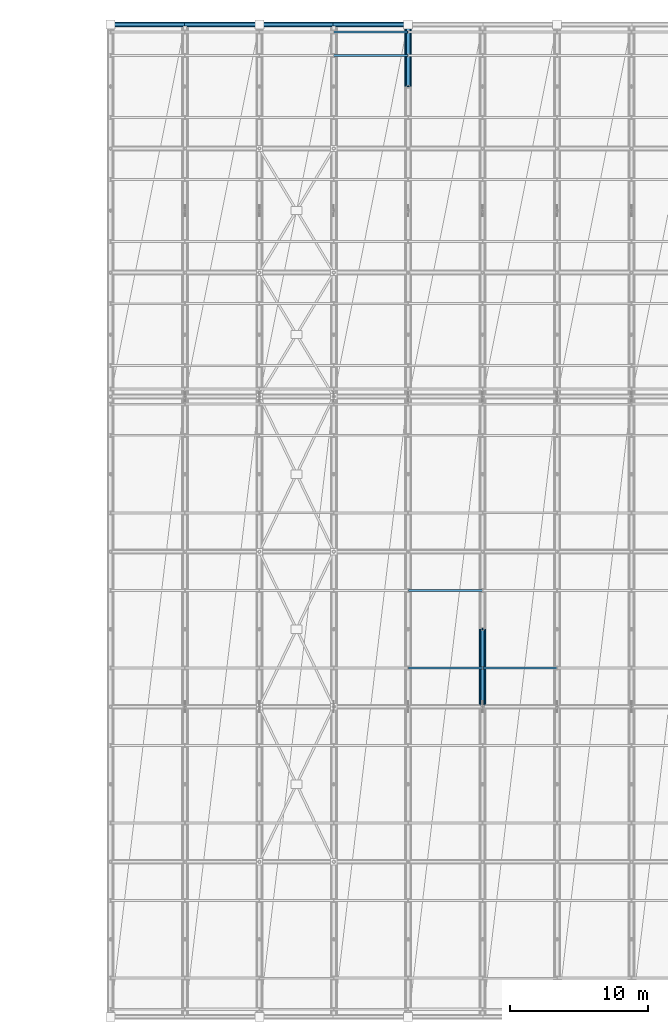
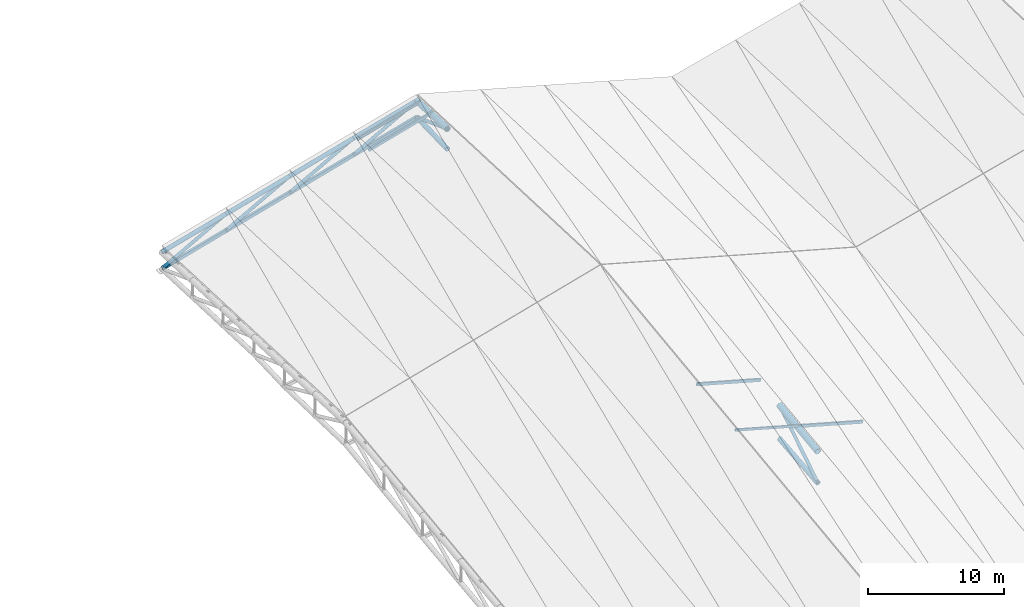
# One storey, part 16 of 109: 19 members, 4 beams.
"""IFC4 building model written with IfcOpenShell, lengths in metres."""

from ifc_helpers import new_model, si_unit, direction, frame, origin, origin_2d, place, context, subcontext, project, spatial, hollow_rectangle, hollow_circle, i_section, extrude, material, material_profile, profile_set, type_object, element, save


model = new_model("IFC4")

# Units and contexts
model_context = context("Model", 3, precision=1e-05, world=origin(), true_north=direction((0.0, 1.0)))
body_context = subcontext(model_context, "Body", "Model", "MODEL_VIEW")
ifc_project = project(units=[si_unit("LENGTHUNIT", "METRE"), si_unit("AREAUNIT", "SQUARE_METRE"), si_unit("VOLUMEUNIT", "CUBIC_METRE"), si_unit("PLANEANGLEUNIT", "RADIAN"), si_unit("MASSUNIT", "GRAM", prefix="KILO")], contexts=[model_context])

# Site, building, storey
site_placement = place(None, origin())
site = spatial("IfcSite", under=ifc_project, at=site_placement, CompositionType="ELEMENT")
building_placement = place(site_placement, origin())
building = spatial("IfcBuilding", under=site, at=building_placement, Name="Suirenkawa Promenade Aquatics Centre", CompositionType="ELEMENT")
storey_placement = place(building_placement, frame((0.0, 0.0, 22.800048828125)))
storey = spatial("IfcBuildingStorey", under=building, at=storey_placement, Name="ROOF", CompositionType="ELEMENT", Elevation=22.800048828125)

# Beams
ifc_material = material(Name="Steel IS 2062 E350 (Grade 350)", Category="steel")
ifc_material_profile_1 = material_profile(ifc_material, hollow_circle(Radius=0.202880859375, WallThickness=0.01806640625, at=origin_2d()), Name="CHS 406x18", Category="steel")
ifc_profile_set_1 = profile_set([ifc_material_profile_1], Name="Steel IS 2062 E350 (Grade 350)")
beam_type_1 = type_object("IfcBeamType", Name="BT-BC-CHS406", PredefinedType="BEAM", material=ifc_profile_set_1)
beam_1_placement = place(storey_placement, frame((68.39990234375, 117.89990234375, -5.9130859375), z_axis=(0.0, 0.999563148904, 0.029555225486), x_axis=(-1.0, 0.0, 0.0)))
element("IfcBeam", 1, at=beam_1_placement, inside=storey, type_object=beam_type_1, Name="ROOF TRUSS V1 bottom chord BC-01 BM-1946", PredefinedType="BEAM", context=body_context, shape_type="SweptSolid", body=[
    extrude(hollow_circle(Radius=0.202880859375, WallThickness=0.01806640625, at=origin_2d()), origin(), (0.0, 0.0, 1.0), 4.501953125),
])
beam_2_placement = place(storey_placement, frame((73.800048828125, 72.89990234375, -10.427001953125), z_axis=(0.0, 0.995307161767, 0.096765974061), x_axis=(-1.0, 0.0, 0.0)))
element("IfcBeam", 2, at=beam_2_placement, inside=storey, type_object=beam_type_1, Name="ROOF TRUSS V1 bottom chord BC-01 BM-1956", PredefinedType="BEAM", context=body_context, shape_type="SweptSolid", body=[
    extrude(hollow_circle(Radius=0.202880859375, WallThickness=0.01806640625, at=origin_2d()), origin(), (0.0, 0.0, 1.0), 5.651611328125),
])
ifc_material_profile_2 = material_profile(ifc_material, hollow_circle(Radius=0.25390625, WallThickness=0.02392578125, at=origin_2d()), Name="CHS 508x24", Category="steel")
ifc_profile_set_2 = profile_set([ifc_material_profile_2], Name="Steel IS 2062 E350 (Grade 350)")
beam_type_2 = type_object("IfcBeamType", Name="BT-TC-CHS508", PredefinedType="BEAM", material=ifc_profile_set_2)
beam_3_placement = place(storey_placement, frame((68.39990234375, 117.89990234375, -4.116943359375), z_axis=(0.0, 0.999173184279, -0.040656460949), x_axis=(-1.0, 0.0, 0.0)))
element("IfcBeam", 3, at=beam_3_placement, inside=storey, type_object=beam_type_2, Name="ROOF TRUSS V1 top chord TC-02 BM-1945", PredefinedType="BEAM", context=body_context, shape_type="SweptSolid", body=[
    extrude(hollow_circle(Radius=0.25390625, WallThickness=0.02392578125, at=origin_2d()), origin(), (0.0, 0.0, 1.0), 4.503662109375),
])
beam_4_placement = place(storey_placement, frame((73.800048828125, 72.89990234375, -7.60009765625), z_axis=(0.0, 0.991793720609, 0.127848409297), x_axis=(-1.0, 0.0, 0.0)))
element("IfcBeam", 4, at=beam_4_placement, inside=storey, type_object=beam_type_2, Name="ROOF TRUSS V1 top chord TC-02 BM-1955", PredefinedType="BEAM", context=body_context, shape_type="SweptSolid", body=[
    extrude(hollow_circle(Radius=0.25390625, WallThickness=0.02392578125, at=origin_2d()), origin(), (0.0, 0.0, 1.0), 5.671630859375),
])

# Members
ifc_material_profile_3 = material_profile(ifc_material, hollow_circle(Radius=0.177978515625, WallThickness=0.01611328125, at=origin_2d()), Name="CHS 356x16", Category="steel")
ifc_profile_set_3 = profile_set([ifc_material_profile_3], Name="Steel IS 2062 E350 (Grade 350)")
member_type_1 = type_object("IfcMemberType", Name="MT-CHORD-CHS356", PredefinedType="CHORD", material=ifc_profile_set_3)
member_1_placement = place(storey_placement, frame((46.800048828125, 122.39990234375, -10.300048828125), z_axis=(0.963516661409, 0.0, 0.267648357342), x_axis=(0.0, 1.0, 0.0)))
element("IfcMember", 5, at=member_1_placement, inside=storey, type_object=member_type_1, Name="ROOF TRUSS V1 eave top chord CH-02 MB-0628", PredefinedType="CHORD", context=body_context, shape_type="SweptSolid", body=[
    extrude(hollow_circle(Radius=0.177978515625, WallThickness=0.01611328125, at=origin_2d()), origin(), (0.0, 0.0, 1.0), 5.604248046875),
])
member_2_placement = place(storey_placement, frame((52.199951171875, 122.39990234375, -8.800048828125), z_axis=(0.963519781844, 0.0, 0.267637123724), x_axis=(0.0, 1.0, 0.0)))
element("IfcMember", 6, at=member_2_placement, inside=storey, type_object=member_type_1, Name="ROOF TRUSS V1 eave top chord CH-02 MB-0631", PredefinedType="CHORD", context=body_context, shape_type="SweptSolid", body=[
    extrude(hollow_circle(Radius=0.177978515625, WallThickness=0.01611328125, at=origin_2d()), origin(), (0.0, 0.0, 1.0), 5.6044921875),
])
for number, where, z_axis, x_axis, name in (
    (7, (57.60009765625, 122.39990234375, -7.300048828125), (0.963516661409, 0.0, 0.267648357342), (0.0, 1.0, 0.0), "ROOF TRUSS V1 eave top chord CH-02 MB-0634"),
    (8, (63.0, 122.39990234375, -5.800048828125), (0.963516661409, 0.0, 0.267648357342), (0.0, 1.0, 0.0), "ROOF TRUSS V1 eave top chord CH-02 MB-0637"),
):
    element("IfcMember", number, at=place(storey_placement, frame(where, z_axis=z_axis, x_axis=x_axis)), inside=storey, type_object=member_type_1, Name=name, PredefinedType="CHORD", context=body_context, shape_type="SweptSolid", body=[
        extrude(hollow_circle(Radius=0.177978515625, WallThickness=0.01611328125, at=origin_2d()), origin(), (0.0, 0.0, 1.0), 5.604248046875),
    ])
ifc_material_profile_4 = material_profile(ifc_material, hollow_rectangle(XDim=0.199951171875, YDim=0.300048828125, WallThickness=0.011962890625, at=origin_2d()), Name="RHS 300x200x12", Category="steel")
ifc_profile_set_4 = profile_set([ifc_material_profile_4], Name="Steel IS 2062 E350 (Grade 350)")
member_type_2 = type_object("IfcMemberType", Name="MT-CHORD-RHS300", PredefinedType="CHORD", material=ifc_profile_set_4)
member_3_placement = place(storey_placement, frame((46.800048828125, 122.39990234375, -11.780029296875), z_axis=(0.963516661409, 0.0, 0.267648357342), x_axis=(0.0, 1.0, 0.0)))
element("IfcMember", 9, at=member_3_placement, inside=storey, type_object=member_type_2, Name="ROOF TRUSS V1 eave bottom chord CH-03 MB-0629", PredefinedType="CHORD", context=body_context, shape_type="SweptSolid", body=[
    extrude(hollow_rectangle(XDim=0.199951171875, YDim=0.300048828125, WallThickness=0.011962890625, at=origin_2d()), origin(), (0.0, 0.0, 1.0), 5.604248046875),
])
member_4_placement = place(storey_placement, frame((52.199951171875, 122.39990234375, -10.280029296875), z_axis=(0.963519781844, 0.0, 0.267637123724), x_axis=(0.0, 1.0, 0.0)))
element("IfcMember", 10, at=member_4_placement, inside=storey, type_object=member_type_2, Name="ROOF TRUSS V1 eave bottom chord CH-03 MB-0632", PredefinedType="CHORD", context=body_context, shape_type="SweptSolid", body=[
    extrude(hollow_rectangle(XDim=0.199951171875, YDim=0.300048828125, WallThickness=0.011962890625, at=origin_2d()), origin(), (0.0, 0.0, 1.0), 5.6044921875),
])
for number, where, z_axis, x_axis, name in (
    (11, (57.60009765625, 122.39990234375, -8.780029296875), (0.963516661409, 0.0, 0.267648357342), (0.0, 1.0, 0.0), "ROOF TRUSS V1 eave bottom chord CH-03 MB-0635"),
    (12, (63.0, 122.39990234375, -7.280029296875), (0.963516661409, 0.0, 0.267648357342), (0.0, 1.0, 0.0), "ROOF TRUSS V1 eave bottom chord CH-03 MB-0638"),
):
    element("IfcMember", number, at=place(storey_placement, frame(where, z_axis=z_axis, x_axis=x_axis)), inside=storey, type_object=member_type_2, Name=name, PredefinedType="CHORD", context=body_context, shape_type="SweptSolid", body=[
        extrude(hollow_rectangle(XDim=0.199951171875, YDim=0.300048828125, WallThickness=0.011962890625, at=origin_2d()), origin(), (0.0, 0.0, 1.0), 5.604248046875),
    ])
ifc_material_profile_5 = material_profile(ifc_material, i_section(OverallWidth=0.125, OverallDepth=0.25, WebThickness=0.007080078125, FlangeThickness=0.012939453125, at=origin_2d()), Name="ISMB 250", Category="steel")
ifc_profile_set_5 = profile_set([ifc_material_profile_5], Name="Steel IS 2062 E350 (Grade 350)")
member_type_3 = type_object("IfcMemberType", Name="MT-PURLIN-ISMB250", PredefinedType="PURLIN", material=ifc_profile_set_5)
member_5_placement = place(storey_placement, frame((63.0, 121.85009765625, -5.549072265625), z_axis=(0.963516661409, 0.0, 0.267648357342), x_axis=(0.0, 1.0, 0.0)))
element("IfcMember", 13, at=member_5_placement, inside=storey, type_object=member_type_3, Name="ROOF TRUSS Roof purlin PU-04 MB-1829", PredefinedType="PURLIN", context=body_context, shape_type="SweptSolid", body=[
    extrude(i_section(OverallWidth=0.125, OverallDepth=0.25, WebThickness=0.007080078125, FlangeThickness=0.012939453125, at=origin_2d()), origin(), (0.0, 0.0, 1.0), 5.604248046875),
])
ifc_material_profile_6 = material_profile(ifc_material, hollow_rectangle(XDim=0.1201171875, YDim=0.199951171875, WallThickness=0.008056640625, at=origin_2d()), Name="RHS 200x120x8", Category="steel")
ifc_profile_set_6 = profile_set([ifc_material_profile_6], Name="Steel IS 2062 E350 (Grade 350)")
member_type_4 = type_object("IfcMemberType", Name="MT-PURLIN-RHS200", PredefinedType="PURLIN", material=ifc_profile_set_6)
member_6_placement = place(storey_placement, frame((68.39990234375, 75.712890625, -5.490966796875), z_axis=(0.963519781844, 0.0, -0.267637123724), x_axis=(0.0, 1.0, 0.0)))
element("IfcMember", 14, at=member_6_placement, inside=storey, type_object=member_type_4, Name="ROOF TRUSS Roof purlin PU-02 MB-1841", PredefinedType="PURLIN", context=body_context, shape_type="SweptSolid", body=[
    extrude(hollow_rectangle(XDim=0.1201171875, YDim=0.199951171875, WallThickness=0.008056640625, at=origin_2d()), origin(), (0.0, 0.0, 1.0), 5.6044921875),
])
ifc_material_profile_7 = material_profile(ifc_material, hollow_rectangle(XDim=0.14990234375, YDim=0.25, WallThickness=0.010009765625, at=origin_2d()), Name="RHS 250x150x10", Category="steel")
ifc_profile_set_7 = profile_set([ifc_material_profile_7], Name="Steel IS 2062 E350 (Grade 350)")
member_type_5 = type_object("IfcMemberType", Name="MT-PURLIN-RHS250", PredefinedType="PURLIN", material=ifc_profile_set_7)
member_7_placement = place(storey_placement, frame((63.0, 120.14990234375, -5.48095703125), z_axis=(0.963516661409, 0.0, 0.267648357342), x_axis=(0.0, 1.0, 0.0)))
element("IfcMember", 15, at=member_7_placement, inside=storey, type_object=member_type_5, Name="ROOF TRUSS Roof purlin PU-03 MB-1827", PredefinedType="PURLIN", context=body_context, shape_type="SweptSolid", body=[
    extrude(hollow_rectangle(XDim=0.14990234375, YDim=0.25, WallThickness=0.010009765625, at=origin_2d()), origin(), (0.0, 0.0, 1.0), 5.604248046875),
])
member_8_placement = place(storey_placement, frame((68.39990234375, 81.337890625, -4.79296875), z_axis=(0.963519781844, 0.0, -0.267637123724), x_axis=(0.0, 1.0, 0.0)))
element("IfcMember", 16, at=member_8_placement, inside=storey, type_object=member_type_5, Name="ROOF TRUSS Roof purlin PU-03 MB-1843", PredefinedType="PURLIN", context=body_context, shape_type="SweptSolid", body=[
    extrude(hollow_rectangle(XDim=0.14990234375, YDim=0.25, WallThickness=0.010009765625, at=origin_2d()), origin(), (0.0, 0.0, 1.0), 5.6044921875),
])
member_9_placement = place(storey_placement, frame((73.800048828125, 75.712890625, -7.01806640625), z_axis=(0.963516661409, 0.0, -0.267648357342), x_axis=(0.0, 1.0, 0.0)))
element("IfcMember", 17, at=member_9_placement, inside=storey, type_object=member_type_5, Name="ROOF TRUSS Roof purlin PU-03 MB-1877", PredefinedType="PURLIN", context=body_context, shape_type="SweptSolid", body=[
    extrude(hollow_rectangle(XDim=0.14990234375, YDim=0.25, WallThickness=0.010009765625, at=origin_2d()), origin(), (0.0, 0.0, 1.0), 5.604248046875),
])
ifc_material_profile_8 = material_profile(ifc_material, hollow_circle(Radius=0.136962890625, WallThickness=0.011962890625, at=origin_2d()), Name="CHS 274x12", Category="steel")
ifc_profile_set_8 = profile_set([ifc_material_profile_8], Name="Steel IS 2062 E350 (Grade 350)")
member_type_6 = type_object("IfcMemberType", Name="MT-WEB-CHS274", PredefinedType="BRACE", material=ifc_profile_set_8)
member_10_placement = place(storey_placement, frame((68.39990234375, 117.89990234375, -4.116943359375), z_axis=(0.0, 0.937991621065, -0.346657927664), x_axis=(-1.0, 0.0, 0.0)))
element("IfcMember", 18, at=member_10_placement, inside=storey, type_object=member_type_6, Name="ROOF TRUSS V1 web diagonal TD-02 MB-0122", PredefinedType="BRACE", context=body_context, shape_type="SweptSolid", body=[
    extrude(hollow_circle(Radius=0.136962890625, WallThickness=0.011962890625, at=origin_2d()), origin(), (0.0, 0.0, 1.0), 4.79736328125),
])
member_11_placement = place(storey_placement, frame((73.800048828125, 72.89990234375, -10.427001953125), z_axis=(0.0, 0.845531630367, 0.533925333777), x_axis=(-1.0, 0.0, 0.0)))
element("IfcMember", 19, at=member_11_placement, inside=storey, type_object=member_type_6, Name="ROOF TRUSS V1 web diagonal TD-02 MB-0140", PredefinedType="BRACE", context=body_context, shape_type="SweptSolid", body=[
    extrude(hollow_circle(Radius=0.136962890625, WallThickness=0.011962890625, at=origin_2d()), origin(), (0.0, 0.0, 1.0), 6.652587890625),
])
member_12_placement = place(storey_placement, frame((46.800048828125, 122.39990234375, -11.780029296875), z_axis=(0.875528027487, 0.0, 0.483167334456), x_axis=(0.0, 1.0, 0.0)))
element("IfcMember", 20, at=member_12_placement, inside=storey, type_object=member_type_6, Name="ROOF TRUSS V1 eave web diagonal TD-02 MB-0630", PredefinedType="BRACE", context=body_context, shape_type="SweptSolid", body=[
    extrude(hollow_circle(Radius=0.136962890625, WallThickness=0.011962890625, at=origin_2d()), origin(), (0.0, 0.0, 1.0), 6.16748046875),
])
member_13_placement = place(storey_placement, frame((52.199951171875, 122.39990234375, -10.280029296875), z_axis=(0.875537268014, 0.0, 0.483150589691), x_axis=(0.0, 1.0, 0.0)))
element("IfcMember", 21, at=member_13_placement, inside=storey, type_object=member_type_6, Name="ROOF TRUSS V1 eave web diagonal TD-02 MB-0633", PredefinedType="BRACE", context=body_context, shape_type="SweptSolid", body=[
    extrude(hollow_circle(Radius=0.136962890625, WallThickness=0.011962890625, at=origin_2d()), origin(), (0.0, 0.0, 1.0), 6.167724609375),
])
for number, where, z_axis, x_axis, name in (
    (22, (57.60009765625, 122.39990234375, -8.780029296875), (0.875528027487, 0.0, 0.483167334456), (0.0, 1.0, 0.0), "ROOF TRUSS V1 eave web diagonal TD-02 MB-0636"),
    (23, (63.0, 122.39990234375, -7.280029296875), (0.875528027487, 0.0, 0.483167334456), (0.0, 1.0, 0.0), "ROOF TRUSS V1 eave web diagonal TD-02 MB-0639"),
):
    element("IfcMember", number, at=place(storey_placement, frame(where, z_axis=z_axis, x_axis=x_axis)), inside=storey, type_object=member_type_6, Name=name, PredefinedType="BRACE", context=body_context, shape_type="SweptSolid", body=[
        extrude(hollow_circle(Radius=0.136962890625, WallThickness=0.011962890625, at=origin_2d()), origin(), (0.0, 0.0, 1.0), 6.16748046875),
    ])

save(model, "model.ifc")
